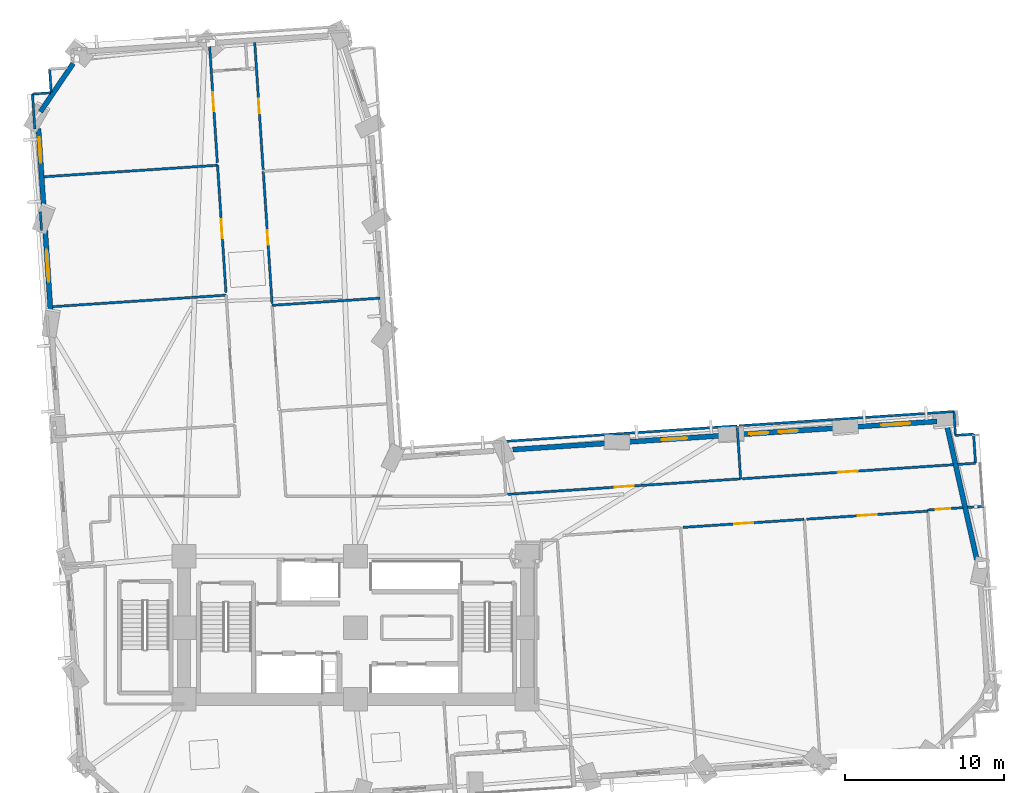
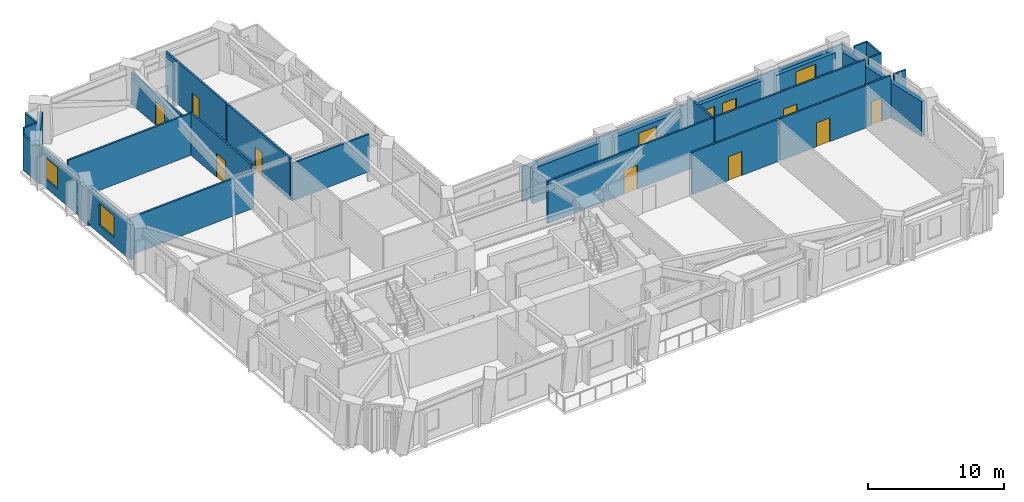
# One storey, part 9 of 14: 32 walls, 9 doors, 6 windows, 15 openings.
"""IFC4 building model written with IfcOpenShell, lengths in metres."""

from ifc_helpers import new_model, si_unit, direction, frame, frame_2d, origin, place, context, subcontext, project, spatial, rectangle, extrude, material, layer, layer_set, type_object, element, fill, save


model = new_model("IFC4")

# Units and contexts
model_context = context("Model", 3, precision=1e-05, world=origin(), true_north=direction((0.0, 1.0)))
body_context = subcontext(model_context, "Body", "Model", "MODEL_VIEW")
ifc_project = project(units=[si_unit("LENGTHUNIT", "METRE"), si_unit("AREAUNIT", "SQUARE_METRE"), si_unit("VOLUMEUNIT", "CUBIC_METRE"), si_unit("PLANEANGLEUNIT", "RADIAN"), si_unit("MASSUNIT", "GRAM", prefix="KILO")], contexts=[model_context])

# Site, building, storey
site_placement = place(None, origin())
site = spatial("IfcSite", under=ifc_project, at=site_placement, CompositionType="ELEMENT")
building_placement = place(site_placement, origin())
building = spatial("IfcBuilding", under=site, at=building_placement, Name="Gaonmaruhae Medical Tower", CompositionType="ELEMENT")
storey_placement = place(building_placement, frame((0.0, 0.0, 39.0)))
storey = spatial("IfcBuildingStorey", under=building, at=storey_placement, Name="L08", CompositionType="ELEMENT", Elevation=39.0)

# Wall
ifc_material_1 = material(Name="Precast concrete C45/55", Category="concrete")
ifc_layer_1 = layer(ifc_material_1, 0.320068359375)
ifc_layer_set_1 = layer_set([ifc_layer_1], Name="Precast concrete C45/55")
wall_type_1 = type_object("IfcWallType", Name="EW-320 Lower Precast Masonry-Frame Facade Wall", PredefinedType="SOLIDWALL", material=ifc_layer_set_1)
wall_1_placement = place(storey_placement, frame((62.058837890625, 24.965576171875, 0.0), z_axis=(0.0, 0.0, 1.0), x_axis=(0.217983679512, -0.97595241455, 0.0)))
element("IfcWall", 1, at=wall_1_placement, inside=storey, type_object=wall_type_1, Name="L08 Precast Masonry-Frame Wall E02-E03", PredefinedType="SOLIDWALL", context=body_context, shape_type="SweptSolid", body=[
    extrude(rectangle(XDim=8.61376953125, YDim=0.320068359375, at=frame_2d((4.306884765625, 0.0))), origin(), (0.0, 0.0, 1.0), 3.1650390625),
])

# Wall, opening, window
wall_2_placement = place(storey_placement, frame((56.229248046875, 24.9501953125, 0.0), z_axis=(0.0, 0.0, 1.0), x_axis=(0.997801716967, 0.066270156308, 0.0)))
wall_2 = element("IfcWall", 2, at=wall_2_placement, inside=storey, type_object=wall_type_1, Name="L08 Precast Masonry-Frame Wall E03-EN01", PredefinedType="SOLIDWALL", context=body_context, shape_type="SweptSolid", body=[
    extrude(rectangle(XDim=5.209228515625, YDim=0.320068359375, at=frame_2d((2.6044921875, 0.0))), origin(), (0.0, 0.0, 1.0), 3.1650390625),
])
opening_1_placement = place(wall_2_placement, frame((1.7001953125, 0.0, 0.75)))
opening_1 = element("IfcOpeningElement", 3, at=opening_1_placement, cuts=wall_2, Name="Opening WN-04", PredefinedType="OPENING", context=body_context, shape_type="SweptSolid", body=[
    extrude(rectangle(XDim=1.800048828125, YDim=2.050048828125, at=frame_2d((0.89990234375, 1.02490234375))), frame((0.0, 0.169921875, 0.0), z_axis=(0.0, -1.0, 0.0), x_axis=(1.0, 0.0, 0.0)), (0.0, 0.0, 1.0), 0.340087890625),
])
ifc_material_2 = material(Name="Anodised aluminium and Low-E double glazing", Category="aluminium")
window_type_1 = type_object("IfcWindowType", Name="WN-04 Clinic & Consult Punched Window 1800x2050", PartitioningType="SINGLE_PANEL", PredefinedType="WINDOW", material=ifc_material_2)
window_1_placement = place(opening_1_placement, origin())
window_1 = element("IfcWindow", 4, at=window_1_placement, inside=storey, type_object=window_type_1, Name="L08 Modular Facade Window E03", OverallHeight=2.050048828125, OverallWidth=1.800048828125, PartitioningType="SINGLE_PANEL", PredefinedType="WINDOW", context=body_context, shape_type="SweptSolid", body=[
    extrude(rectangle(XDim=1.800048828125, YDim=2.050048828125, at=frame_2d((0.89990234375, 1.02490234375))), frame((0.0, 0.030029296875, 0.0), z_axis=(0.0, -1.0, 0.0), x_axis=(1.0, 0.0, 0.0)), (0.0, 0.0, 1.0), 0.06005859375),
])
fill(opening_1, window_1)

# Wall, openings, windows
wall_3_placement = place(storey_placement, frame((49.06103515625, 24.47412109375, 0.0), z_axis=(0.0, 0.0, 1.0), x_axis=(0.99780251715, 0.066258107202, 0.0)))
wall_3 = element("IfcWall", 5, at=wall_3_placement, inside=storey, type_object=wall_type_1, Name="L08 Precast Masonry-Frame Wall EN01-EN02", PredefinedType="SOLIDWALL", context=body_context, shape_type="SweptSolid", body=[
    extrude(rectangle(XDim=6.0244140625, YDim=0.320068359375, at=frame_2d((3.01220703125, 0.0))), origin(), (0.0, 0.0, 1.0), 3.1650390625),
])
opening_2_placement = place(wall_3_placement, frame((2.40869140625, 0.0, 0.75)))
opening_2 = element("IfcOpeningElement", 6, at=opening_2_placement, cuts=wall_3, Name="Opening WN-05", PredefinedType="OPENING", context=body_context, shape_type="SweptSolid", body=[
    extrude(rectangle(XDim=1.199951171875, YDim=1.75, at=frame_2d((0.60009765625, 0.875))), frame((0.0, 0.169921875, 0.0), z_axis=(0.0, -1.0, 0.0), x_axis=(1.0, 0.0, 0.0)), (0.0, 0.0, 1.0), 0.340087890625),
])
opening_3_placement = place(wall_3_placement, frame((0.5419921875, 0.0, 0.75)))
opening_3 = element("IfcOpeningElement", 7, at=opening_3_placement, cuts=wall_3, Name="Opening WN-05", PredefinedType="OPENING", context=body_context, shape_type="SweptSolid", body=[
    extrude(rectangle(XDim=1.199951171875, YDim=1.75, at=frame_2d((0.60009765625, 0.875))), frame((0.0, 0.169921875, 0.0), z_axis=(0.0, -1.0, 0.0), x_axis=(1.0, 0.0, 0.0)), (0.0, 0.0, 1.0), 0.340087890625),
])
window_type_2 = type_object("IfcWindowType", Name="WN-05 Support & Staff Punched Window 1200x1750", PartitioningType="SINGLE_PANEL", PredefinedType="WINDOW", material=ifc_material_2)
window_2_placement = place(opening_2_placement, origin())
window_2 = element("IfcWindow", 8, at=window_2_placement, inside=storey, type_object=window_type_2, Name="L08 Modular Facade Window EN01", OverallHeight=1.75, OverallWidth=1.199951171875, PartitioningType="SINGLE_PANEL", PredefinedType="WINDOW", context=body_context, shape_type="SweptSolid", body=[
    extrude(rectangle(XDim=1.199951171875, YDim=1.75, at=frame_2d((0.60009765625, 0.875))), frame((0.0, 0.030029296875, 0.0), z_axis=(0.0, -1.0, 0.0), x_axis=(1.0, 0.0, 0.0)), (0.0, 0.0, 1.0), 0.06005859375),
])
fill(opening_2, window_2)
window_3_placement = place(opening_3_placement, origin())
window_3 = element("IfcWindow", 9, at=window_3_placement, inside=storey, type_object=window_type_2, Name="L08 Modular Facade Window EN01B", OverallHeight=1.75, OverallWidth=1.199951171875, PartitioningType="SINGLE_PANEL", PredefinedType="WINDOW", context=body_context, shape_type="SweptSolid", body=[
    extrude(rectangle(XDim=1.199951171875, YDim=1.75, at=frame_2d((0.60009765625, 0.875))), frame((0.0, 0.030029296875, 0.0), z_axis=(0.0, -1.0, 0.0), x_axis=(1.0, 0.0, 0.0)), (0.0, 0.0, 1.0), 0.06005859375),
])
fill(opening_3, window_3)

# Wall, opening, window
wall_4_placement = place(storey_placement, frame((41.88671875, 23.997314453125, 0.0), z_axis=(0.0, 0.0, 1.0), x_axis=(0.997800436459, 0.066289433564, 0.0)))
wall_4 = element("IfcWall", 10, at=wall_4_placement, inside=storey, type_object=wall_type_1, Name="L08 Precast Masonry-Frame Wall EN02-EN03", PredefinedType="SOLIDWALL", context=body_context, shape_type="SweptSolid", body=[
    extrude(rectangle(XDim=5.99951171875, YDim=0.320068359375, at=frame_2d((2.999755859375, 0.0))), origin(), (0.0, 0.0, 1.0), 3.1650390625),
])
opening_4_placement = place(wall_4_placement, frame((2.19775390625, 0.0, 0.75)))
opening_4 = element("IfcOpeningElement", 11, at=opening_4_placement, cuts=wall_4, Name="Opening WN-01", PredefinedType="OPENING", context=body_context, shape_type="SweptSolid", body=[
    extrude(rectangle(XDim=1.60009765625, YDim=1.949951171875, at=frame_2d((0.800048828125, 0.97509765625))), frame((0.0, 0.169921875, 0.0), z_axis=(0.0, -1.0, 0.0), x_axis=(1.0, 0.0, 0.0)), (0.0, 0.0, 1.0), 0.340087890625),
])
window_type_3 = type_object("IfcWindowType", Name="WN-01 Ward Punched Acoustic Window 1600x1950", PartitioningType="SINGLE_PANEL", PredefinedType="WINDOW", material=ifc_material_2)
window_4_placement = place(opening_4_placement, origin())
window_4 = element("IfcWindow", 12, at=window_4_placement, inside=storey, type_object=window_type_3, Name="L08 Modular Facade Window EN02", OverallHeight=1.949951171875, OverallWidth=1.60009765625, PartitioningType="SINGLE_PANEL", PredefinedType="WINDOW", context=body_context, shape_type="SweptSolid", body=[
    extrude(rectangle(XDim=1.60009765625, YDim=1.949951171875, at=frame_2d((0.800048828125, 0.97509765625))), frame((0.0, 0.030029296875, 0.0), z_axis=(0.0, -1.0, 0.0), x_axis=(1.0, 0.0, 0.0)), (0.0, 0.0, 1.0), 0.06005859375),
])
fill(opening_4, window_4)

# Walls
wall_5_placement = place(storey_placement, frame((34.706298828125, 23.5205078125, 0.0), z_axis=(0.0, 0.0, 1.0), x_axis=(0.997802086271, 0.066264595619, 0.0)))
element("IfcWall", 13, at=wall_5_placement, inside=storey, type_object=wall_type_1, Name="L08 Precast Masonry-Frame Wall EN03-EN04", PredefinedType="SOLIDWALL", context=body_context, shape_type="SweptSolid", body=[
    extrude(rectangle(XDim=5.987060546875, YDim=0.320068359375, at=frame_2d((2.99365234375, 0.0))), origin(), (0.0, 0.0, 1.0), 3.1650390625),
])
wall_6_placement = place(storey_placement, frame((4.95751953125, 44.796875, 0.0), z_axis=(0.0, 0.0, 1.0), x_axis=(0.561016004543, 0.827804954471, 0.0)))
element("IfcWall", 14, at=wall_6_placement, inside=storey, type_object=wall_type_1, Name="L08 Precast Masonry-Frame Wall N03-W01", PredefinedType="SOLIDWALL", context=body_context, shape_type="SweptSolid", body=[
    extrude(rectangle(XDim=3.666015625, YDim=0.320068359375, at=frame_2d((1.8330078125, 0.0))), origin(), (0.0, 0.0, 1.0), 3.1650390625),
])

# Wall, opening, window
wall_7_placement = place(storey_placement, frame((5.1787109375, 38.512939453125, 0.0), z_axis=(0.0, 0.0, 1.0), x_axis=(-0.066280128143, 0.997801054626, 0.0)))
wall_7 = element("IfcWall", 15, at=wall_7_placement, inside=storey, type_object=wall_type_1, Name="L08 Precast Masonry-Frame Wall W01-W02", PredefinedType="SOLIDWALL", context=body_context, shape_type="SweptSolid", body=[
    extrude(rectangle(XDim=5.22314453125, YDim=0.320068359375, at=frame_2d((2.611572265625, 0.0))), origin(), (0.0, 0.0, 1.0), 3.1650390625),
])
opening_5_placement = place(wall_7_placement, frame((3.08251953125, 0.0, 0.75)))
opening_5 = element("IfcOpeningElement", 16, at=opening_5_placement, cuts=wall_7, Name="Opening WN-01", PredefinedType="OPENING", context=body_context, shape_type="SweptSolid", body=[
    extrude(rectangle(XDim=1.60009765625, YDim=1.949951171875, at=frame_2d((0.800048828125, 0.97509765625))), frame((0.0, 0.169921875, 0.0), z_axis=(0.0, -1.0, 0.0), x_axis=(1.0, 0.0, 0.0)), (0.0, 0.0, 1.0), 0.340087890625),
])
window_5_placement = place(opening_5_placement, origin())
window_5 = element("IfcWindow", 17, at=window_5_placement, inside=storey, type_object=window_type_3, Name="L08 Modular Facade Window W01", OverallHeight=1.949951171875, OverallWidth=1.60009765625, PartitioningType="SINGLE_PANEL", PredefinedType="WINDOW", context=body_context, shape_type="SweptSolid", body=[
    extrude(rectangle(XDim=1.60009765625, YDim=1.949951171875, at=frame_2d((0.800048828125, 0.97509765625))), frame((0.0, 0.030029296875, 0.0), z_axis=(0.0, -1.0, 0.0), x_axis=(1.0, 0.0, 0.0)), (0.0, 0.0, 1.0), 0.06005859375),
])
fill(opening_5, window_5)

wall_8_placement = place(storey_placement, frame((5.615478515625, 31.936767578125, 0.0), z_axis=(0.0, 0.0, 1.0), x_axis=(-0.066272972222, 0.997801529941, 0.0)))
wall_8 = element("IfcWall", 18, at=wall_8_placement, inside=storey, type_object=wall_type_1, Name="L08 Precast Masonry-Frame Wall W02-W03", PredefinedType="SOLIDWALL", context=body_context, shape_type="SweptSolid", body=[
    extrude(rectangle(XDim=5.400634765625, YDim=0.320068359375, at=frame_2d((2.7001953125, 0.0))), origin(), (0.0, 0.0, 1.0), 3.1650390625),
])
opening_6_placement = place(wall_8_placement, frame((2.169677734375, 0.0, 0.75)))
opening_6 = element("IfcOpeningElement", 19, at=opening_6_placement, cuts=wall_8, Name="Opening WN-02", PredefinedType="OPENING", context=body_context, shape_type="SweptSolid", body=[
    extrude(rectangle(XDim=2.0, YDim=1.949951171875, at=frame_2d((1.0, 0.97509765625))), frame((0.0, 0.169921875, 0.0), z_axis=(0.0, -1.0, 0.0), x_axis=(1.0, 0.0, 0.0)), (0.0, 0.0, 1.0), 0.340087890625),
])
window_type_4 = type_object("IfcWindowType", Name="WN-02 Double-Bed Ward Punched Window 2000x1950", PartitioningType="SINGLE_PANEL", PredefinedType="WINDOW", material=ifc_material_2)
window_6_placement = place(opening_6_placement, origin())
window_6 = element("IfcWindow", 20, at=window_6_placement, inside=storey, type_object=window_type_4, Name="L08 Modular Facade Window W02", OverallHeight=1.949951171875, OverallWidth=2.0, PartitioningType="SINGLE_PANEL", PredefinedType="WINDOW", context=body_context, shape_type="SweptSolid", body=[
    extrude(rectangle(XDim=2.0, YDim=1.949951171875, at=frame_2d((1.0, 0.97509765625))), frame((0.0, 0.030029296875, 0.0), z_axis=(0.0, -1.0, 0.0), x_axis=(1.0, 0.0, 0.0)), (0.0, 0.0, 1.0), 0.06005859375),
])
fill(opening_6, window_6)

# Wall, opening, door
ifc_material_3 = material(Name="Gypsum board partition", Category="gypsum")
ifc_layer_2 = layer(ifc_material_3, 0.14990234375)
ifc_layer_set_2 = layer_set([ifc_layer_2], Name="Gypsum board partition")
wall_type_2 = type_object("IfcWallType", Name="PW-150 Rated Clinical Corridor Partition", PredefinedType="PARTITIONING", material=ifc_layer_set_2)
wall_9_placement = place(storey_placement, frame((45.43603515625, 18.62109375, 0.0), z_axis=(0.0, 0.0, 1.0), x_axis=(0.997805472688, 0.066213583763, 0.0)))
wall_9 = element("IfcWall", 21, at=wall_9_placement, inside=storey, type_object=wall_type_2, Name="L08 Interior Partition L08-SUP06-35", PredefinedType="PARTITIONING", context=body_context, shape_type="SweptSolid", body=[
    extrude(rectangle(XDim=7.639892578125, YDim=0.14990234375, at=frame_2d((3.81982421875, 0.0))), origin(), (0.0, 0.0, 1.0), 3.780029296875),
])
opening_7_placement = place(wall_9_placement, frame((3.219970703125, 0.0, 0.0)))
opening_7 = element("IfcOpeningElement", 22, at=opening_7_placement, cuts=wall_9, Name="Opening CD-02", PredefinedType="OPENING", context=body_context, shape_type="SweptSolid", body=[
    extrude(rectangle(XDim=1.199951171875, YDim=2.14990234375, at=frame_2d((0.60009765625, 1.074951171875))), frame((0.0, 0.0849609375, 0.0), z_axis=(0.0, -1.0, 0.0), x_axis=(1.0, 0.0, 0.0)), (0.0, 0.0, 1.0), 0.169921875),
])
ifc_material_4 = material(Name="Antimicrobial laminate timber fire door", Category="wood")
door_type_1 = type_object("IfcDoorType", Name="CD-02 Clinical Treatment & Procedure Door 1200x2150", OperationType="NOTDEFINED", PredefinedType="DOOR", material=ifc_material_4)
door_1_placement = place(opening_7_placement, origin())
door_1 = element("IfcDoor", 23, at=door_1_placement, inside=storey, type_object=door_type_1, Name="L08 Clinical Biomedical Charting Office Door", OperationType="SINGLE_SWING_LEFT", OverallHeight=2.14990234375, OverallWidth=1.199951171875, PredefinedType="DOOR", context=body_context, shape_type="SweptSolid", body=[
    extrude(rectangle(XDim=1.199951171875, YDim=2.14990234375, at=frame_2d((0.60009765625, 1.074951171875))), frame((0.0, 0.02490234375, 0.0), z_axis=(0.0, -1.0, 0.0), x_axis=(1.0, 0.0, 0.0)), (0.0, 0.0, 1.0), 0.050048828125),
])
fill(opening_7, door_1)

wall_10_placement = place(storey_placement, frame((53.218017578125, 19.137939453125, 0.0), z_axis=(0.0, 0.0, 1.0), x_axis=(0.99780392173, 0.066236951766, 0.0)))
wall_10 = element("IfcWall", 24, at=wall_10_placement, inside=storey, type_object=wall_type_2, Name="L08 Interior Partition L08-SUP07-39", PredefinedType="PARTITIONING", context=body_context, shape_type="SweptSolid", body=[
    extrude(rectangle(XDim=7.640869140625, YDim=0.14990234375, at=frame_2d((3.8203125, 0.0))), origin(), (0.0, 0.0, 1.0), 3.780029296875),
])
opening_8_placement = place(wall_10_placement, frame((3.220458984375, 0.0, 0.0)))
opening_8 = element("IfcOpeningElement", 25, at=opening_8_placement, cuts=wall_10, Name="Opening CD-02", PredefinedType="OPENING", context=body_context, shape_type="SweptSolid", body=[
    extrude(rectangle(XDim=1.199951171875, YDim=2.14990234375, at=frame_2d((0.60009765625, 1.074951171875))), frame((0.0, 0.0849609375, 0.0), z_axis=(0.0, -1.0, 0.0), x_axis=(1.0, 0.0, 0.0)), (0.0, 0.0, 1.0), 0.169921875),
])
door_2_placement = place(opening_8_placement, origin())
door_2 = element("IfcDoor", 26, at=door_2_placement, inside=storey, type_object=door_type_1, Name="L08 Clinical Biomedical Charting Office Door", OperationType="SINGLE_SWING_RIGHT", OverallHeight=2.14990234375, OverallWidth=1.199951171875, PredefinedType="DOOR", context=body_context, shape_type="SweptSolid", body=[
    extrude(rectangle(XDim=1.199951171875, YDim=2.14990234375, at=frame_2d((0.60009765625, 1.074951171875))), frame((0.0, 0.02490234375, 0.0), z_axis=(0.0, -1.0, 0.0), x_axis=(1.0, 0.0, 0.0)), (0.0, 0.0, 1.0), 0.050048828125),
])
fill(opening_8, door_2)

# Walls
wall_11_placement = place(storey_placement, frame((5.7119140625, 32.51904296875, 0.0), z_axis=(0.0, 0.0, 1.0), x_axis=(0.997805307983, 0.066216065736, 0.0)))
element("IfcWall", 27, at=wall_11_placement, inside=storey, type_object=wall_type_2, Name="L08 Interior Partition L08-WOF09-51", PredefinedType="PARTITIONING", context=body_context, shape_type="SweptSolid", body=[
    extrude(rectangle(XDim=10.96533203125, YDim=0.14990234375, at=frame_2d((5.482666015625, 0.0))), origin(), (0.0, 0.0, 1.0), 3.364990234375),
])
wall_12_placement = place(storey_placement, frame((5.1689453125, 40.700927734375, 0.0), z_axis=(0.0, 0.0, 1.0), x_axis=(0.997805307983, 0.066216065736, 0.0)))
element("IfcWall", 28, at=wall_12_placement, inside=storey, type_object=wall_type_2, Name="L08 Interior Partition L08-WOF10-55", PredefinedType="PARTITIONING", context=body_context, shape_type="SweptSolid", body=[
    extrude(rectangle(XDim=10.96533203125, YDim=0.14990234375, at=frame_2d((5.482666015625, 0.0))), origin(), (0.0, 0.0, 1.0), 3.780029296875),
])

# Wall, opening, door
wall_13_placement = place(storey_placement, frame((16.110107421875, 41.427001953125, 0.0), z_axis=(0.0, 0.0, 1.0), x_axis=(0.066170320126, -0.997808342686, 0.0)))
wall_13 = element("IfcWall", 29, at=wall_13_placement, inside=storey, type_object=wall_type_2, Name="L08 Interior Partition L08-WOF10-56", PredefinedType="PARTITIONING", context=body_context, shape_type="SweptSolid", body=[
    extrude(rectangle(XDim=8.03955078125, YDim=0.14990234375, at=frame_2d((4.019775390625, 0.0))), origin(), (0.0, 0.0, 1.0), 3.780029296875),
])
opening_9_placement = place(wall_13_placement, frame((3.419921875, 0.0, 0.0)))
opening_9 = element("IfcOpeningElement", 30, at=opening_9_placement, cuts=wall_13, Name="Opening CD-02", PredefinedType="OPENING", context=body_context, shape_type="SweptSolid", body=[
    extrude(rectangle(XDim=1.199951171875, YDim=2.14990234375, at=frame_2d((0.60009765625, 1.074951171875))), frame((0.0, 0.0849609375, 0.0), z_axis=(0.0, -1.0, 0.0), x_axis=(1.0, 0.0, 0.0)), (0.0, 0.0, 1.0), 0.169921875),
])
door_3_placement = place(opening_9_placement, origin())
door_3 = element("IfcDoor", 31, at=door_3_placement, inside=storey, type_object=door_type_1, Name="L08 Ward Physician Reporting Office Door", OperationType="SINGLE_SWING_RIGHT", OverallHeight=2.14990234375, OverallWidth=1.199951171875, PredefinedType="DOOR", context=body_context, shape_type="SweptSolid", body=[
    extrude(rectangle(XDim=1.199951171875, YDim=2.14990234375, at=frame_2d((0.60009765625, 1.074951171875))), frame((0.0, 0.02490234375, 0.0), z_axis=(0.0, -1.0, 0.0), x_axis=(1.0, 0.0, 0.0)), (0.0, 0.0, 1.0), 0.050048828125),
])
fill(opening_9, door_3)

# Wall
wall_14_placement = place(storey_placement, frame((5.028076171875, 37.31005859375, 0.0), z_axis=(0.0, 0.0, 1.0), x_axis=(-0.066437351806, 0.997790598415, 0.0)))
element("IfcWall", 32, at=wall_14_placement, inside=storey, type_object=wall_type_2, Name="L08 Interior Partition L08-WOF10-57", PredefinedType="PARTITIONING", context=body_context, shape_type="SweptSolid", body=[
    extrude(rectangle(XDim=1.190673828125, YDim=0.14990234375, at=frame_2d((0.59521484375, 0.0))), origin(), (0.0, 0.0, 1.0), 3.1650390625),
])

# Wall, opening, door
wall_15_placement = place(storey_placement, frame((15.587890625, 49.280029296875, 0.0), z_axis=(0.0, 0.0, 1.0), x_axis=(0.066306740692, -0.997799286499, 0.0)))
wall_15 = element("IfcWall", 33, at=wall_15_placement, inside=storey, type_object=wall_type_2, Name="L08 Interior Partition L08-WOF11-62", PredefinedType="PARTITIONING", context=body_context, shape_type="SweptSolid", body=[
    extrude(rectangle(XDim=7.7099609375, YDim=0.14990234375, at=frame_2d((3.85498046875, 0.0))), origin(), (0.0, 0.0, 1.0), 2.864990234375),
])
opening_10_placement = place(wall_15_placement, frame((3.2548828125, 0.0, 0.0)))
opening_10 = element("IfcOpeningElement", 34, at=opening_10_placement, cuts=wall_15, Name="Opening CD-02", PredefinedType="OPENING", context=body_context, shape_type="SweptSolid", body=[
    extrude(rectangle(XDim=1.199951171875, YDim=2.14990234375, at=frame_2d((0.60009765625, 1.074951171875))), frame((0.0, 0.0849609375, 0.0), z_axis=(0.0, -1.0, 0.0), x_axis=(1.0, 0.0, 0.0)), (0.0, 0.0, 1.0), 0.169921875),
])
door_4_placement = place(opening_10_placement, origin())
door_4 = element("IfcDoor", 35, at=door_4_placement, inside=storey, type_object=door_type_1, Name="L08 Ward Physician Reporting Office Door", OperationType="SINGLE_SWING_RIGHT", OverallHeight=2.14990234375, OverallWidth=1.199951171875, PredefinedType="DOOR", context=body_context, shape_type="SweptSolid", body=[
    extrude(rectangle(XDim=1.199951171875, YDim=2.14990234375, at=frame_2d((0.60009765625, 1.074951171875))), frame((0.0, 0.02490234375, 0.0), z_axis=(0.0, -1.0, 0.0), x_axis=(1.0, 0.0, 0.0)), (0.0, 0.0, 1.0), 0.050048828125),
])
fill(opening_10, door_4)

# Walls
wall_16_placement = place(storey_placement, frame((4.60302734375, 43.708984375, 0.0), z_axis=(0.0, 0.0, 1.0), x_axis=(-0.066035274338, 0.997817289158, 0.0)))
element("IfcWall", 36, at=wall_16_placement, inside=storey, type_object=wall_type_2, Name="L08 Interior Partition L08-WOF11-63", PredefinedType="PARTITIONING", context=body_context, shape_type="SweptSolid", body=[
    extrude(rectangle(XDim=2.2109375, YDim=0.14990234375, at=frame_2d((1.10546875, 0.0))), origin(), (0.0, 0.0, 1.0), 3.1650390625),
])
wall_17_placement = place(storey_placement, frame((4.45703125, 45.9150390625, 0.0), z_axis=(0.0, 0.0, 1.0), x_axis=(0.997816062356, 0.066053809151, 0.0)))
element("IfcWall", 37, at=wall_17_placement, inside=storey, type_object=wall_type_2, Name="L08 Interior Partition L08-WOF11-64", PredefinedType="PARTITIONING", context=body_context, shape_type="SweptSolid", body=[
    extrude(rectangle(XDim=1.1494140625, YDim=0.14990234375, at=frame_2d((0.57470703125, 0.0))), origin(), (0.0, 0.0, 1.0), 3.780029296875),
])
wall_18_placement = place(storey_placement, frame((5.631103515625, 46.031982421875, 0.0), z_axis=(0.0, 0.0, 1.0), x_axis=(-0.065831433156, 0.9978307584, 0.0)))
element("IfcWall", 38, at=wall_18_placement, inside=storey, type_object=wall_type_2, Name="L08 Interior Partition L08-WOF11-65", PredefinedType="PARTITIONING", context=body_context, shape_type="SweptSolid", body=[
    extrude(rectangle(XDim=1.461181640625, YDim=0.14990234375, at=frame_2d((0.73046875, 0.0))), origin(), (0.0, 0.0, 1.0), 3.780029296875),
])

# Wall, opening, door
wall_19_placement = place(storey_placement, frame((49.056884765625, 21.677978515625, 0.0), z_axis=(0.0, 0.0, 1.0), x_axis=(-0.99779880156, -0.066314037763, 0.0)))
wall_19 = element("IfcWall", 39, at=wall_19_placement, inside=storey, type_object=wall_type_2, Name="L08 Interior Partition L08-IE02-73", PredefinedType="PARTITIONING", context=body_context, shape_type="SweptSolid", body=[
    extrude(rectangle(XDim=14.704345703125, YDim=0.14990234375, at=frame_2d((7.35205078125, 0.0))), origin(), (0.0, 0.0, 1.0), 3.780029296875),
])
opening_11_placement = place(wall_19_placement, frame((6.752197265625, 0.0, 0.0)))
opening_11 = element("IfcOpeningElement", 40, at=opening_11_placement, cuts=wall_19, Name="Opening CD-02", PredefinedType="OPENING", context=body_context, shape_type="SweptSolid", body=[
    extrude(rectangle(XDim=1.199951171875, YDim=2.14990234375, at=frame_2d((0.60009765625, 1.074951171875))), frame((0.0, 0.0849609375, 0.0), z_axis=(0.0, -1.0, 0.0), x_axis=(1.0, 0.0, 0.0)), (0.0, 0.0, 1.0), 0.169921875),
])
door_5_placement = place(opening_11_placement, origin())
door_5 = element("IfcDoor", 41, at=door_5_placement, inside=storey, type_object=door_type_1, Name="L08 Acute Treatment Examination Room Door", OperationType="SINGLE_SWING_RIGHT", OverallHeight=2.14990234375, OverallWidth=1.199951171875, PredefinedType="DOOR", context=body_context, shape_type="SweptSolid", body=[
    extrude(rectangle(XDim=1.199951171875, YDim=2.14990234375, at=frame_2d((0.60009765625, 1.074951171875))), frame((0.0, 0.02490234375, 0.0), z_axis=(0.0, -1.0, 0.0), x_axis=(1.0, 0.0, 0.0)), (0.0, 0.0, 1.0), 0.050048828125),
])
fill(opening_11, door_5)

# Walls
wall_20_placement = place(storey_placement, frame((34.1640625, 24.035888671875, 0.0), z_axis=(0.0, 0.0, 1.0), x_axis=(0.997803193852, 0.066247915726, 0.0)))
element("IfcWall", 42, at=wall_20_placement, inside=storey, type_object=wall_type_2, Name="L08 Interior Partition L08-IE02-74", PredefinedType="PARTITIONING", context=body_context, shape_type="SweptSolid", body=[
    extrude(rectangle(XDim=14.7041015625, YDim=0.14990234375, at=frame_2d((7.35205078125, 0.0))), origin(), (0.0, 0.0, 1.0), 3.1650390625),
])
wall_21_placement = place(storey_placement, frame((48.8359375, 25.010009765625, 0.0), z_axis=(0.0, 0.0, 1.0), x_axis=(0.066164777459, -0.997808710236, 0.0)))
element("IfcWall", 43, at=wall_21_placement, inside=storey, type_object=wall_type_2, Name="L08 Interior Partition L08-IE02-75", PredefinedType="PARTITIONING", context=body_context, shape_type="SweptSolid", body=[
    extrude(rectangle(XDim=3.33935546875, YDim=0.14990234375, at=frame_2d((1.669677734375, 0.0))), origin(), (0.0, 0.0, 1.0), 3.780029296875),
])
wall_22_placement = place(storey_placement, frame((62.589111328125, 24.419921875, 0.0), z_axis=(0.0, 0.0, 1.0), x_axis=(0.997763300026, 0.066846070347, 0.0)))
element("IfcWall", 44, at=wall_22_placement, inside=storey, type_object=wall_type_2, Name="L08 Interior Partition L08-IE03-76", PredefinedType="PARTITIONING", context=body_context, shape_type="SweptSolid", body=[
    extrude(rectangle(XDim=1.139404296875, YDim=0.14990234375, at=frame_2d((0.56982421875, 0.0))), origin(), (0.0, 0.0, 1.0), 3.780029296875),
])
wall_23_placement = place(storey_placement, frame((63.72607421875, 24.49609375, 0.0), z_axis=(0.0, 0.0, 1.0), x_axis=(0.066202009586, -0.997806240673, 0.0)))
element("IfcWall", 45, at=wall_23_placement, inside=storey, type_object=wall_type_2, Name="L08 Interior Partition L08-IE03-77", PredefinedType="PARTITIONING", context=body_context, shape_type="SweptSolid", body=[
    extrude(rectangle(XDim=1.84033203125, YDim=0.14990234375, at=frame_2d((0.920166015625, 0.0))), origin(), (0.0, 0.0, 1.0), 3.780029296875),
])
wall_24_placement = place(storey_placement, frame((63.847900390625, 22.659912109375, 0.0), z_axis=(0.0, 0.0, 1.0), x_axis=(-0.99782161494, -0.065969877662, 0.0)))
element("IfcWall", 46, at=wall_24_placement, inside=storey, type_object=wall_type_2, Name="L08 Interior Partition L08-IE03-78", PredefinedType="PARTITIONING", context=body_context, shape_type="SweptSolid", body=[
    extrude(rectangle(XDim=1.121337890625, YDim=0.14990234375, at=frame_2d((0.560546875, 0.0))), origin(), (0.0, 0.0, 1.0), 3.780029296875),
])

# Wall, opening, door
wall_25_placement = place(storey_placement, frame((62.4560546875, 22.568115234375, 0.0), z_axis=(0.0, 0.0, 1.0), x_axis=(-0.997796183511, -0.066353418686, 0.0)))
wall_25 = element("IfcWall", 47, at=wall_25_placement, inside=storey, type_object=wall_type_2, Name="L08 Interior Partition L08-IE03-79", PredefinedType="PARTITIONING", context=body_context, shape_type="SweptSolid", body=[
    extrude(rectangle(XDim=13.308349609375, YDim=0.14990234375, at=frame_2d((6.654296875, 0.0))), origin(), (0.0, 0.0, 1.0), 3.780029296875),
])
opening_12_placement = place(wall_25_placement, frame((6.05419921875, 0.0, 0.0)))
opening_12 = element("IfcOpeningElement", 48, at=opening_12_placement, cuts=wall_25, Name="Opening CD-02", PredefinedType="OPENING", context=body_context, shape_type="SweptSolid", body=[
    extrude(rectangle(XDim=1.199951171875, YDim=2.14990234375, at=frame_2d((0.60009765625, 1.074951171875))), frame((0.0, 0.0849609375, 0.0), z_axis=(0.0, -1.0, 0.0), x_axis=(1.0, 0.0, 0.0)), (0.0, 0.0, 1.0), 0.169921875),
])
door_6_placement = place(opening_12_placement, origin())
door_6 = element("IfcDoor", 49, at=door_6_placement, inside=storey, type_object=door_type_1, Name="L08 Clean Medication Preparation Room Door", OperationType="SINGLE_SWING_RIGHT", OverallHeight=2.14990234375, OverallWidth=1.199951171875, PredefinedType="DOOR", context=body_context, shape_type="SweptSolid", body=[
    extrude(rectangle(XDim=1.199951171875, YDim=2.14990234375, at=frame_2d((0.60009765625, 1.074951171875))), frame((0.0, 0.02490234375, 0.0), z_axis=(0.0, -1.0, 0.0), x_axis=(1.0, 0.0, 0.0)), (0.0, 0.0, 1.0), 0.050048828125),
])
fill(opening_12, door_6)

# Walls
wall_26_placement = place(storey_placement, frame((48.955078125, 25.01806640625, 0.0), z_axis=(0.0, 0.0, 1.0), x_axis=(0.997801454767, 0.066274104022, 0.0)))
element("IfcWall", 50, at=wall_26_placement, inside=storey, type_object=wall_type_2, Name="L08 Interior Partition L08-IE03-80", PredefinedType="PARTITIONING", context=body_context, shape_type="SweptSolid", body=[
    extrude(rectangle(XDim=13.563720703125, YDim=0.14990234375, at=frame_2d((6.78173828125, 0.0))), origin(), (0.0, 0.0, 1.0), 3.1650390625),
])
wall_27_placement = place(storey_placement, frame((62.489013671875, 25.9169921875, 0.0), z_axis=(0.0, 0.0, 1.0), x_axis=(0.066713404028, -0.997772179269, 0.0)))
element("IfcWall", 51, at=wall_27_placement, inside=storey, type_object=wall_type_2, Name="L08 Interior Partition L08-IE03-81", PredefinedType="PARTITIONING", context=body_context, shape_type="SweptSolid", body=[
    extrude(rectangle(XDim=1.50048828125, YDim=0.14990234375, at=frame_2d((0.750244140625, 0.0))), origin(), (0.0, 0.0, 1.0), 3.1650390625),
])
wall_28_placement = place(storey_placement, frame((19.552001953125, 32.60595703125, 0.0), z_axis=(0.0, 0.0, 1.0), x_axis=(0.997796714123, 0.066345439075, 0.0)))
element("IfcWall", 52, at=wall_28_placement, inside=storey, type_object=wall_type_2, Name="L08 Interior Partition L08-IN01-83", PredefinedType="PARTITIONING", context=body_context, shape_type="SweptSolid", body=[
    extrude(rectangle(XDim=6.815185546875, YDim=0.14990234375, at=frame_2d((3.40771484375, 0.0))), origin(), (0.0, 0.0, 1.0), 3.364990234375),
])

# Wall, opening, door
wall_29_placement = place(storey_placement, frame((19.5439453125, 32.72607421875, 0.0), z_axis=(0.0, 0.0, 1.0), x_axis=(-0.066301410689, 0.99779964068, 0.0)))
wall_29 = element("IfcWall", 53, at=wall_29_placement, inside=storey, type_object=wall_type_2, Name="L08 Interior Partition L08-IN02-85", PredefinedType="PARTITIONING", context=body_context, shape_type="SweptSolid", body=[
    extrude(rectangle(XDim=8.34033203125, YDim=0.14990234375, at=frame_2d((4.170166015625, 0.0))), origin(), (0.0, 0.0, 1.0), 3.780029296875),
])
opening_13_placement = place(wall_29_placement, frame((3.710205078125, 0.0, 0.0)))
opening_13 = element("IfcOpeningElement", 54, at=opening_13_placement, cuts=wall_29, Name="Opening UD-01", PredefinedType="OPENING", context=body_context, shape_type="SweptSolid", body=[
    extrude(rectangle(XDim=0.919921875, YDim=2.10009765625, at=frame_2d((0.4599609375, 1.050048828125))), frame((0.0, 0.0849609375, 0.0), z_axis=(0.0, -1.0, 0.0), x_axis=(1.0, 0.0, 0.0)), (0.0, 0.0, 1.0), 0.169921875),
])
ifc_material_5 = material(Name="Powder-coated steel utility door", Category="steel")
door_type_2 = type_object("IfcDoorType", Name="UD-01 Toilet, Utility & Housekeeping Door 920x2100", OperationType="NOTDEFINED", PredefinedType="DOOR", material=ifc_material_5)
door_7_placement = place(opening_13_placement, origin())
door_7 = element("IfcDoor", 55, at=door_7_placement, inside=storey, type_object=door_type_2, Name="L08 Ward Nutrition Pantry Door", OperationType="SINGLE_SWING_RIGHT", OverallHeight=2.10009765625, OverallWidth=0.919921875, PredefinedType="DOOR", context=body_context, shape_type="SweptSolid", body=[
    extrude(rectangle(XDim=0.919921875, YDim=2.10009765625, at=frame_2d((0.4599609375, 1.050048828125))), frame((0.0, 0.02490234375, 0.0), z_axis=(0.0, -1.0, 0.0), x_axis=(1.0, 0.0, 0.0)), (0.0, 0.0, 1.0), 0.050048828125),
])
fill(opening_13, door_7)

wall_30_placement = place(storey_placement, frame((18.98291015625, 41.1669921875, 0.0), z_axis=(0.0, 0.0, 1.0), x_axis=(-0.066246099174, 0.997803314458, 0.0)))
wall_30 = element("IfcWall", 56, at=wall_30_placement, inside=storey, type_object=wall_type_2, Name="L08 Interior Partition L08-IN03-90", PredefinedType="PARTITIONING", context=body_context, shape_type="SweptSolid", body=[
    extrude(rectangle(XDim=8.015625, YDim=0.14990234375, at=frame_2d((4.0078125, 0.0))), origin(), (0.0, 0.0, 1.0), 3.780029296875),
])
opening_14_placement = place(wall_30_placement, frame((3.5478515625, 0.0, 0.0)))
opening_14 = element("IfcOpeningElement", 57, at=opening_14_placement, cuts=wall_30, Name="Opening UD-01", PredefinedType="OPENING", context=body_context, shape_type="SweptSolid", body=[
    extrude(rectangle(XDim=0.919921875, YDim=2.10009765625, at=frame_2d((0.4599609375, 1.050048828125))), frame((0.0, 0.0849609375, 0.0), z_axis=(0.0, -1.0, 0.0), x_axis=(1.0, 0.0, 0.0)), (0.0, 0.0, 1.0), 0.169921875),
])
door_8_placement = place(opening_14_placement, origin())
door_8 = element("IfcDoor", 58, at=door_8_placement, inside=storey, type_object=door_type_2, Name="L08 Public Visitor Toilet Door", OperationType="SINGLE_SWING_RIGHT", OverallHeight=2.10009765625, OverallWidth=0.919921875, PredefinedType="DOOR", context=body_context, shape_type="SweptSolid", body=[
    extrude(rectangle(XDim=0.919921875, YDim=2.10009765625, at=frame_2d((0.4599609375, 1.050048828125))), frame((0.0, 0.02490234375, 0.0), z_axis=(0.0, -1.0, 0.0), x_axis=(1.0, 0.0, 0.0)), (0.0, 0.0, 1.0), 0.050048828125),
])
fill(opening_14, door_8)

wall_31_placement = place(storey_placement, frame((60.8369140625, 19.714111328125, 0.0), z_axis=(0.0, 0.0, 1.0), x_axis=(0.997794839956, 0.066373619431, 0.0)))
wall_31 = element("IfcWall", 59, at=wall_31_placement, inside=storey, type_object=wall_type_2, Name="L08 Interior Partition L08-RM03-103", PredefinedType="PARTITIONING", context=body_context, shape_type="SweptSolid", body=[
    extrude(rectangle(XDim=2.22900390625, YDim=0.14990234375, at=frame_2d((1.114501953125, 0.0))), origin(), (0.0, 0.0, 1.0), 3.780029296875),
])
opening_15_placement = place(wall_31_placement, frame((0.497314453125, 0.0, 0.0)))
opening_15 = element("IfcOpeningElement", 60, at=opening_15_placement, cuts=wall_31, Name="Opening UD-01", PredefinedType="OPENING", context=body_context, shape_type="SweptSolid", body=[
    extrude(rectangle(XDim=0.919921875, YDim=2.10009765625, at=frame_2d((0.4599609375, 1.050048828125))), frame((0.0, 0.0849609375, 0.0), z_axis=(0.0, -1.0, 0.0), x_axis=(1.0, 0.0, 0.0)), (0.0, 0.0, 1.0), 0.169921875),
])
door_9_placement = place(opening_15_placement, origin())
door_9 = element("IfcDoor", 61, at=door_9_placement, inside=storey, type_object=door_type_2, Name="L08 Biomedical Mobile Equipment Bay Door", OperationType="SINGLE_SWING_LEFT", OverallHeight=2.10009765625, OverallWidth=0.919921875, PredefinedType="DOOR", context=body_context, shape_type="SweptSolid", body=[
    extrude(rectangle(XDim=0.919921875, YDim=2.10009765625, at=frame_2d((0.4599609375, 1.050048828125))), frame((0.0, 0.02490234375, 0.0), z_axis=(0.0, -1.0, 0.0), x_axis=(1.0, 0.0, 0.0)), (0.0, 0.0, 1.0), 0.050048828125),
])
fill(opening_15, door_9)

# Wall
wall_32_placement = place(storey_placement, frame((63.3330078125, 19.8798828125, 0.0), z_axis=(0.0, 0.0, 1.0), x_axis=(0.997805527361, 0.06621275985, 0.0)))
element("IfcWall", 62, at=wall_32_placement, inside=storey, type_object=wall_type_2, Name="L08 Interior Partition L08-RM03-104", PredefinedType="PARTITIONING", context=body_context, shape_type="SweptSolid", body=[
    extrude(rectangle(XDim=1.058349609375, YDim=0.14990234375, at=frame_2d((0.529296875, 0.0))), origin(), (0.0, 0.0, 1.0), 3.780029296875),
])

save(model, "model.ifc")
